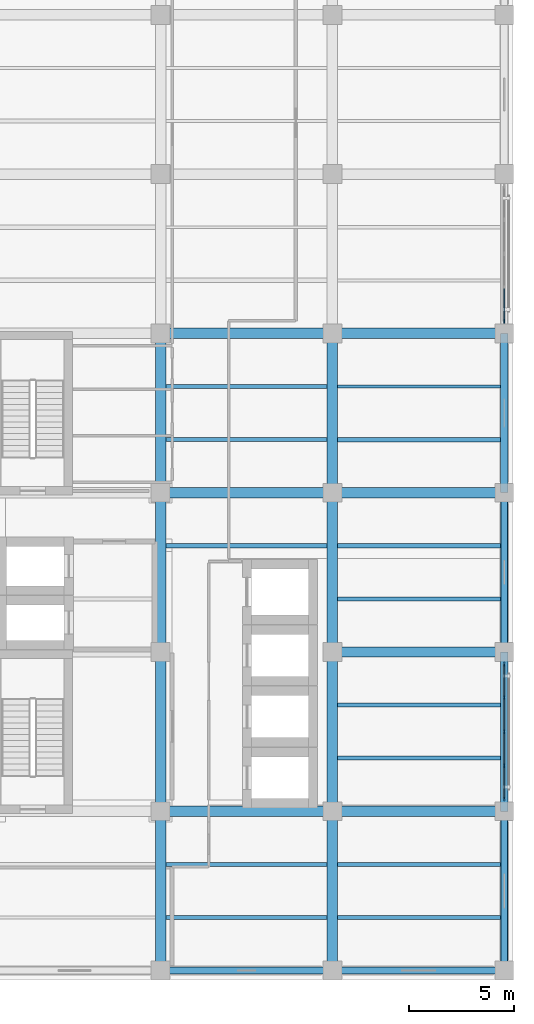
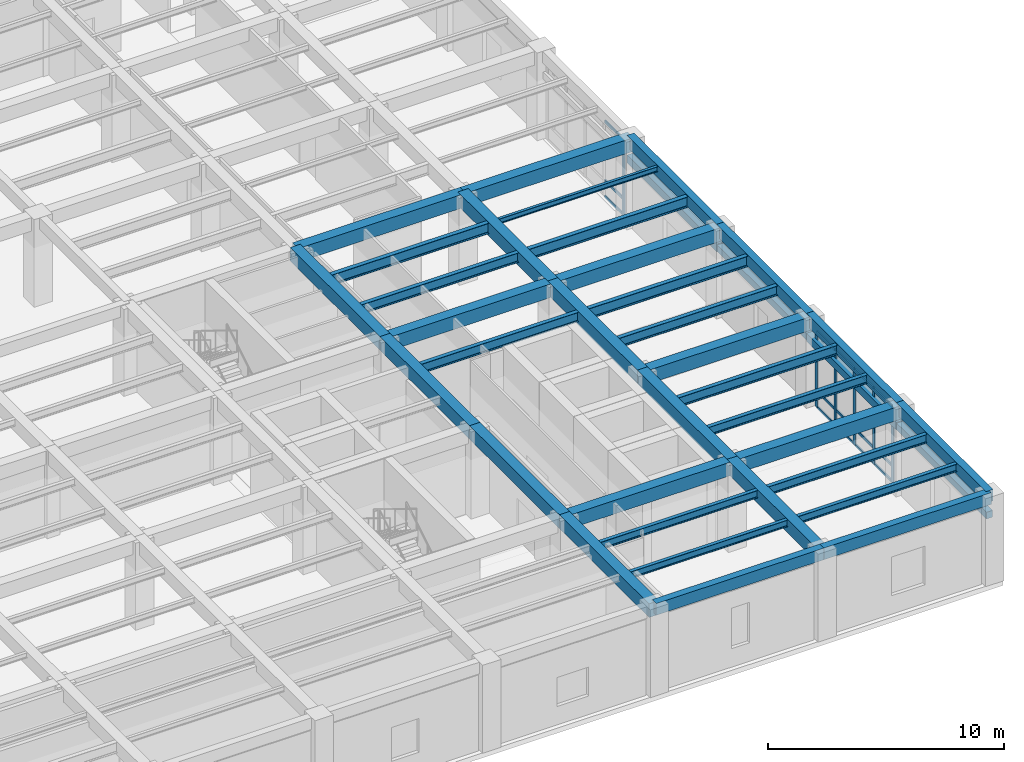
# One storey, part 23 of 49: 38 beams, 21 members, 2 elements without a shape of their own.
"""IFC4 building model written with IfcOpenShell, lengths in metres."""

from ifc_helpers import new_model, si_unit, direction, frame, origin, origin_2d, place, context, subcontext, project, spatial, rectangle, i_section, extrude, material, material_profile, profile_set, type_object, element, aggregate, save


model = new_model("IFC4")

# Units and contexts
model_context = context("Model", 3, precision=1e-05, world=origin(), true_north=direction((0.0, 1.0)))
body_context = subcontext(model_context, "Body", "Model", "MODEL_VIEW")
ifc_project = project(units=[si_unit("LENGTHUNIT", "METRE"), si_unit("AREAUNIT", "SQUARE_METRE"), si_unit("VOLUMEUNIT", "CUBIC_METRE"), si_unit("PLANEANGLEUNIT", "RADIAN"), si_unit("MASSUNIT", "GRAM", prefix="KILO")], contexts=[model_context])

# Site, building, storey
site_placement = place(None, origin())
site = spatial("IfcSite", under=ifc_project, at=site_placement, CompositionType="ELEMENT")
building_placement = place(site_placement, origin())
building = spatial("IfcBuilding", under=site, at=building_placement, Name="Qandaris Square Conservatory and Botanical Centre", CompositionType="ELEMENT")
storey_placement = place(building_placement, frame((0.0, 0.0, 10.199951171875)))
storey = spatial("IfcBuildingStorey", under=building, at=storey_placement, Name="L02", CompositionType="ELEMENT", Elevation=10.199951171875)

# Beams
ifc_material_1 = material(Name="Steel S355", Category="steel")
ifc_material_profile_1 = material_profile(ifc_material_1, i_section(OverallWidth=0.18994140625, OverallDepth=0.449951171875, WebThickness=0.009521484375, FlangeThickness=0.0146484375, FilletRadius=0.02099609375, at=origin_2d()), Name="IPE 450")
ifc_profile_set_1 = profile_set([ifc_material_profile_1], Name="Steel S355")
beam_type_1 = type_object("IfcBeamType", Name="Composite Archive Joist IPE 450", PredefinedType="JOIST", material=ifc_profile_set_1)
for number, where, z_axis, x_axis, name in (
    (1, (155.85009765625, 21.666748046875, 4.275146484375), (1.0, 0.0, 0.0), (0.0, 1.0, 0.0), "L02 Composite Joist 1516"),
    (2, (155.85009765625, 26.7333984375, 4.275146484375), (1.0, 0.0, 0.0), (0.0, 1.0, 0.0), "L02 Composite Joist 1517"),
):
    element("IfcBeam", number, at=place(storey_placement, frame(where, z_axis=z_axis, x_axis=x_axis)), inside=storey, type_object=beam_type_1, Name=name, PredefinedType="JOIST", context=body_context, shape_type="SweptSolid", body=[
        extrude(i_section(OverallWidth=0.18994140625, OverallDepth=0.449951171875, WebThickness=0.009521484375, FlangeThickness=0.0146484375, FilletRadius=0.02099609375, at=origin_2d()), origin(), (0.0, 0.0, 1.0), 7.77490234375),
    ])
ifc_material_profile_2 = material_profile(ifc_material_1, i_section(OverallWidth=0.199951171875, OverallDepth=0.5, WebThickness=0.01025390625, FlangeThickness=0.01611328125, FilletRadius=0.02099609375, at=origin_2d()), Name="IPE 500")
ifc_profile_set_2 = profile_set([ifc_material_profile_2], Name="Steel S355")
beam_type_2 = type_object("IfcBeamType", Name="Composite Gallery Joist IPE 500", PredefinedType="JOIST", material=ifc_profile_set_2)
for number, where, z_axis, x_axis, name in (
    (3, (147.64990234375, 36.86669921875, 4.25), (1.0, 0.0, 0.0), (0.0, 1.0, 0.0), "L02 Composite Joist 1502"),
    (4, (147.64990234375, 41.933349609375, 4.25), (1.0, 0.0, 0.0), (0.0, 1.0, 0.0), "L02 Composite Joist 1503"),
):
    element("IfcBeam", number, at=place(storey_placement, frame(where, z_axis=z_axis, x_axis=x_axis)), inside=storey, type_object=beam_type_2, Name=name, PredefinedType="JOIST", context=body_context, shape_type="SweptSolid", body=[
        extrude(i_section(OverallWidth=0.199951171875, OverallDepth=0.5, WebThickness=0.01025390625, FlangeThickness=0.01611328125, FilletRadius=0.02099609375, at=origin_2d()), origin(), (0.0, 0.0, 1.0), 7.7001953125),
    ])
for number, where, z_axis, x_axis, name in (
    (5, (155.85009765625, 29.2666015625, 4.25), (1.0, 0.0, 0.0), (0.0, 1.0, 0.0), "L02 Composite Joist 1518"),
    (6, (155.85009765625, 34.333251953125, 4.25), (1.0, 0.0, 0.0), (0.0, 1.0, 0.0), "L02 Composite Joist 1519"),
):
    element("IfcBeam", number, at=place(storey_placement, frame(where, z_axis=z_axis, x_axis=x_axis)), inside=storey, type_object=beam_type_2, Name=name, PredefinedType="JOIST", context=body_context, shape_type="SweptSolid", body=[
        extrude(i_section(OverallWidth=0.199951171875, OverallDepth=0.5, WebThickness=0.01025390625, FlangeThickness=0.01611328125, FilletRadius=0.02099609375, at=origin_2d()), origin(), (0.0, 0.0, 1.0), 7.77490234375),
    ])
ifc_material_profile_3 = material_profile(ifc_material_1, i_section(OverallWidth=0.169921875, OverallDepth=0.360107421875, WebThickness=0.008056640625, FlangeThickness=0.0126953125, FilletRadius=0.01806640625, at=origin_2d()), Name="IPE 360")
ifc_profile_set_3 = profile_set([ifc_material_profile_3], Name="Steel S355")
beam_type_3 = type_object("IfcBeamType", Name="Composite Lab Joist IPE 360", PredefinedType="JOIST", material=ifc_profile_set_3)
beam_1_placement = place(storey_placement, frame((147.64990234375, 19.13330078125, 4.320068359375), z_axis=(1.0, 0.0, 0.0), x_axis=(0.0, 1.0, 0.0)))
element("IfcBeam", 7, at=beam_1_placement, inside=storey, type_object=beam_type_3, Name="L02 Composite Joist 1500", PredefinedType="JOIST", context=body_context, shape_type="SweptSolid", body=[
    extrude(i_section(OverallWidth=0.169921875, OverallDepth=0.360107421875, WebThickness=0.008056640625, FlangeThickness=0.0126953125, FilletRadius=0.01806640625, at=origin_2d()), origin(), (0.0, 0.0, 1.0), 7.7001953125),
])
ifc_material_profile_4 = material_profile(ifc_material_1, i_section(OverallWidth=0.179931640625, OverallDepth=0.39990234375, WebThickness=0.008544921875, FlangeThickness=0.013427734375, FilletRadius=0.02099609375, at=origin_2d()), Name="IPE 400")
ifc_profile_set_4 = profile_set([ifc_material_profile_4], Name="Steel S355")
beam_type_4 = type_object("IfcBeamType", Name="Composite Plinth Joist IPE 400", PredefinedType="JOIST", material=ifc_profile_set_4)
beam_2_placement = place(storey_placement, frame((147.64990234375, 21.666748046875, 4.300048828125), z_axis=(1.0, 0.0, 0.0), x_axis=(0.0, 1.0, 0.0)))
element("IfcBeam", 8, at=beam_2_placement, inside=storey, type_object=beam_type_4, Name="L02 Composite Joist 1501", PredefinedType="JOIST", context=body_context, shape_type="SweptSolid", body=[
    extrude(i_section(OverallWidth=0.179931640625, OverallDepth=0.39990234375, WebThickness=0.008544921875, FlangeThickness=0.013427734375, FilletRadius=0.02099609375, at=origin_2d()), origin(), (0.0, 0.0, 1.0), 7.7001953125),
])
beam_3_placement = place(storey_placement, frame((155.85009765625, 19.13330078125, 4.300048828125), z_axis=(1.0, 0.0, 0.0), x_axis=(0.0, 1.0, 0.0)))
element("IfcBeam", 9, at=beam_3_placement, inside=storey, type_object=beam_type_4, Name="L02 Composite Joist 1515", PredefinedType="JOIST", context=body_context, shape_type="SweptSolid", body=[
    extrude(i_section(OverallWidth=0.179931640625, OverallDepth=0.39990234375, WebThickness=0.008544921875, FlangeThickness=0.013427734375, FilletRadius=0.02099609375, at=origin_2d()), origin(), (0.0, 0.0, 1.0), 7.77490234375),
])

# Curtain wall, members
ifc_material_2 = material(Name="Anodised Aluminium", Category="aluminium")
curtain_wall_type = type_object("IfcCurtainWallType", Name="Unitised Curtain Wall CW-4-650x394", PredefinedType="USERDEFINED", material=ifc_material_2)
curtain_wall_1_placement = place(storey_placement, origin())
curtain_wall_1 = element("IfcCurtainWall", 10, at=curtain_wall_1_placement, inside=storey, type_object=curtain_wall_type, Name="Curtain Wall CW-TWR-L02-2-2", ObjectType="GLAZED CURTAIN WALL", PredefinedType="USERDEFINED")
ifc_material_profile_5 = material_profile(ifc_material_2, rectangle(XDim=0.06494140625, YDim=0.179931640625, at=origin_2d()), Name="ALU-MUL 65x180")
ifc_profile_set_5 = profile_set([ifc_material_profile_5], Name="Anodised Aluminium")
member_type_1 = type_object("IfcMemberType", Name="Curtain Wall Mullion 65x180", PredefinedType="MULLION", material=ifc_profile_set_5)
member_1_placement = place(storey_placement, frame((163.800048828125, 24.782470703125, 0.0), z_axis=(0.0, 0.0, 1.0), x_axis=(-1.0, 0.0, 0.0)))
member_1 = element("IfcMember", 11, at=member_1_placement, type_object=member_type_1, Name="CW-4-650x394 mullion 1", PredefinedType="MULLION", context=body_context, shape_type="SweptSolid", body=[
    extrude(rectangle(XDim=0.06494140625, YDim=0.179931640625, at=origin_2d()), origin(), (0.0, 0.0, 1.0), 3.945068359375),
])
member_2_placement = place(storey_placement, frame((163.800048828125, 26.375, 0.0), z_axis=(0.0, 0.0, 1.0), x_axis=(-1.0, 0.0, 0.0)))
member_2 = element("IfcMember", 12, at=member_2_placement, type_object=member_type_1, Name="CW-4-650x394 mullion 2", PredefinedType="MULLION", context=body_context, shape_type="SweptSolid", body=[
    extrude(rectangle(XDim=0.06494140625, YDim=0.179931640625, at=origin_2d()), origin(), (0.0, 0.0, 1.0), 3.945068359375),
])
member_3_placement = place(storey_placement, frame((163.800048828125, 28.0, 0.0), z_axis=(0.0, 0.0, 1.0), x_axis=(-1.0, 0.0, 0.0)))
member_3 = element("IfcMember", 13, at=member_3_placement, type_object=member_type_1, Name="CW-4-650x394 mullion 3", PredefinedType="MULLION", context=body_context, shape_type="SweptSolid", body=[
    extrude(rectangle(XDim=0.06494140625, YDim=0.179931640625, at=origin_2d()), origin(), (0.0, 0.0, 1.0), 3.945068359375),
])
member_4_placement = place(storey_placement, frame((163.800048828125, 29.625, 0.0), z_axis=(0.0, 0.0, 1.0), x_axis=(-1.0, 0.0, 0.0)))
member_4 = element("IfcMember", 14, at=member_4_placement, type_object=member_type_1, Name="CW-4-650x394 mullion 4", PredefinedType="MULLION", context=body_context, shape_type="SweptSolid", body=[
    extrude(rectangle(XDim=0.06494140625, YDim=0.179931640625, at=origin_2d()), origin(), (0.0, 0.0, 1.0), 3.945068359375),
])
member_5_placement = place(storey_placement, frame((163.800048828125, 31.217529296875, 0.0), z_axis=(0.0, 0.0, 1.0), x_axis=(-1.0, 0.0, 0.0)))
member_5 = element("IfcMember", 15, at=member_5_placement, type_object=member_type_1, Name="CW-4-650x394 mullion 5", PredefinedType="MULLION", context=body_context, shape_type="SweptSolid", body=[
    extrude(rectangle(XDim=0.06494140625, YDim=0.179931640625, at=origin_2d()), origin(), (0.0, 0.0, 1.0), 3.945068359375),
])

# Curtain wall, member
curtain_wall_2_placement = place(storey_placement, origin())
curtain_wall_2 = element("IfcCurtainWall", 16, at=curtain_wall_2_placement, inside=storey, type_object=curtain_wall_type, Name="Curtain Wall CW-TWR-L02-2-5", ObjectType="GLAZED CURTAIN WALL", PredefinedType="USERDEFINED")
member_6_placement = place(storey_placement, frame((163.800048828125, 47.58251953125, 0.0), z_axis=(0.0, 0.0, 1.0), x_axis=(-1.0, 0.0, 0.0)))
member_6 = element("IfcMember", 17, at=member_6_placement, type_object=member_type_1, Name="CW-4-650x394 mullion 1", PredefinedType="MULLION", context=body_context, shape_type="SweptSolid", body=[
    extrude(rectangle(XDim=0.06494140625, YDim=0.179931640625, at=origin_2d()), origin(), (0.0, 0.0, 1.0), 3.945068359375),
])

# Member
ifc_material_profile_6 = material_profile(ifc_material_2, rectangle(XDim=0.06494140625, YDim=0.139892578125, at=origin_2d()), Name="ALU-TRN 65x140")
ifc_profile_set_6 = profile_set([ifc_material_profile_6], Name="Anodised Aluminium")
member_type_2 = type_object("IfcMemberType", Name="Curtain Wall Transom 65x140", PredefinedType="USERDEFINED", material=ifc_profile_set_6)
member_7_placement = place(storey_placement, frame((163.800048828125, 24.81494140625, 0.032470703125), z_axis=(0.0, 1.0, 0.0), x_axis=(-1.0, 0.0, 0.0)))
member_7 = element("IfcMember", 18, at=member_7_placement, type_object=member_type_2, Name="CW-4-650x394 transom 1.1", ObjectType="TRANSOM", PredefinedType="USERDEFINED", context=body_context, shape_type="SweptSolid", body=[
    extrude(rectangle(XDim=0.06494140625, YDim=0.139892578125, at=origin_2d()), origin(), (0.0, 0.0, 1.0), 1.527587890625),
])

member_8_placement = place(storey_placement, frame((163.800048828125, 24.81494140625, 0.85009765625), z_axis=(0.0, 1.0, 0.0), x_axis=(-1.0, 0.0, 0.0)))
member_8 = element("IfcMember", 19, at=member_8_placement, type_object=member_type_2, Name="CW-4-650x394 transom 1.2", ObjectType="TRANSOM", PredefinedType="USERDEFINED", context=body_context, shape_type="SweptSolid", body=[
    extrude(rectangle(XDim=0.06494140625, YDim=0.139892578125, at=origin_2d()), origin(), (0.0, 0.0, 1.0), 1.527587890625),
])

member_9_placement = place(storey_placement, frame((163.800048828125, 24.81494140625, 3.91259765625), z_axis=(0.0, 1.0, 0.0), x_axis=(-1.0, 0.0, 0.0)))
member_9 = element("IfcMember", 20, at=member_9_placement, type_object=member_type_2, Name="CW-4-650x394 transom 1.3", ObjectType="TRANSOM", PredefinedType="USERDEFINED", context=body_context, shape_type="SweptSolid", body=[
    extrude(rectangle(XDim=0.06494140625, YDim=0.139892578125, at=origin_2d()), origin(), (0.0, 0.0, 1.0), 1.527587890625),
])

member_10_placement = place(storey_placement, frame((163.800048828125, 26.407470703125, 0.032470703125), z_axis=(0.0, 1.0, 0.0), x_axis=(-1.0, 0.0, 0.0)))
member_10 = element("IfcMember", 21, at=member_10_placement, type_object=member_type_2, Name="CW-4-650x394 transom 2.1", ObjectType="TRANSOM", PredefinedType="USERDEFINED", context=body_context, shape_type="SweptSolid", body=[
    extrude(rectangle(XDim=0.06494140625, YDim=0.139892578125, at=origin_2d()), origin(), (0.0, 0.0, 1.0), 1.56005859375),
])

member_11_placement = place(storey_placement, frame((163.800048828125, 26.407470703125, 0.85009765625), z_axis=(0.0, 1.0, 0.0), x_axis=(-1.0, 0.0, 0.0)))
member_11 = element("IfcMember", 22, at=member_11_placement, type_object=member_type_2, Name="CW-4-650x394 transom 2.2", ObjectType="TRANSOM", PredefinedType="USERDEFINED", context=body_context, shape_type="SweptSolid", body=[
    extrude(rectangle(XDim=0.06494140625, YDim=0.139892578125, at=origin_2d()), origin(), (0.0, 0.0, 1.0), 1.56005859375),
])

member_12_placement = place(storey_placement, frame((163.800048828125, 26.407470703125, 3.91259765625), z_axis=(0.0, 1.0, 0.0), x_axis=(-1.0, 0.0, 0.0)))
member_12 = element("IfcMember", 23, at=member_12_placement, type_object=member_type_2, Name="CW-4-650x394 transom 2.3", ObjectType="TRANSOM", PredefinedType="USERDEFINED", context=body_context, shape_type="SweptSolid", body=[
    extrude(rectangle(XDim=0.06494140625, YDim=0.139892578125, at=origin_2d()), origin(), (0.0, 0.0, 1.0), 1.56005859375),
])

member_13_placement = place(storey_placement, frame((163.800048828125, 28.032470703125, 0.032470703125), z_axis=(0.0, 1.0, 0.0), x_axis=(-1.0, 0.0, 0.0)))
member_13 = element("IfcMember", 24, at=member_13_placement, type_object=member_type_2, Name="CW-4-650x394 transom 3.1", ObjectType="TRANSOM", PredefinedType="USERDEFINED", context=body_context, shape_type="SweptSolid", body=[
    extrude(rectangle(XDim=0.06494140625, YDim=0.139892578125, at=origin_2d()), origin(), (0.0, 0.0, 1.0), 1.56005859375),
])

member_14_placement = place(storey_placement, frame((163.800048828125, 28.032470703125, 0.85009765625), z_axis=(0.0, 1.0, 0.0), x_axis=(-1.0, 0.0, 0.0)))
member_14 = element("IfcMember", 25, at=member_14_placement, type_object=member_type_2, Name="CW-4-650x394 transom 3.2", ObjectType="TRANSOM", PredefinedType="USERDEFINED", context=body_context, shape_type="SweptSolid", body=[
    extrude(rectangle(XDim=0.06494140625, YDim=0.139892578125, at=origin_2d()), origin(), (0.0, 0.0, 1.0), 1.56005859375),
])

member_15_placement = place(storey_placement, frame((163.800048828125, 28.032470703125, 3.91259765625), z_axis=(0.0, 1.0, 0.0), x_axis=(-1.0, 0.0, 0.0)))
member_15 = element("IfcMember", 26, at=member_15_placement, type_object=member_type_2, Name="CW-4-650x394 transom 3.3", ObjectType="TRANSOM", PredefinedType="USERDEFINED", context=body_context, shape_type="SweptSolid", body=[
    extrude(rectangle(XDim=0.06494140625, YDim=0.139892578125, at=origin_2d()), origin(), (0.0, 0.0, 1.0), 1.56005859375),
])

member_16_placement = place(storey_placement, frame((163.800048828125, 29.657470703125, 0.032470703125), z_axis=(0.0, 1.0, 0.0), x_axis=(-1.0, 0.0, 0.0)))
member_16 = element("IfcMember", 27, at=member_16_placement, type_object=member_type_2, Name="CW-4-650x394 transom 4.1", ObjectType="TRANSOM", PredefinedType="USERDEFINED", context=body_context, shape_type="SweptSolid", body=[
    extrude(rectangle(XDim=0.06494140625, YDim=0.139892578125, at=origin_2d()), origin(), (0.0, 0.0, 1.0), 1.527587890625),
])

member_17_placement = place(storey_placement, frame((163.800048828125, 29.657470703125, 0.85009765625), z_axis=(0.0, 1.0, 0.0), x_axis=(-1.0, 0.0, 0.0)))
member_17 = element("IfcMember", 28, at=member_17_placement, type_object=member_type_2, Name="CW-4-650x394 transom 4.2", ObjectType="TRANSOM", PredefinedType="USERDEFINED", context=body_context, shape_type="SweptSolid", body=[
    extrude(rectangle(XDim=0.06494140625, YDim=0.139892578125, at=origin_2d()), origin(), (0.0, 0.0, 1.0), 1.527587890625),
])

member_18_placement = place(storey_placement, frame((163.800048828125, 29.657470703125, 3.91259765625), z_axis=(0.0, 1.0, 0.0), x_axis=(-1.0, 0.0, 0.0)))
member_18 = element("IfcMember", 29, at=member_18_placement, type_object=member_type_2, Name="CW-4-650x394 transom 4.3", ObjectType="TRANSOM", PredefinedType="USERDEFINED", context=body_context, shape_type="SweptSolid", body=[
    extrude(rectangle(XDim=0.06494140625, YDim=0.139892578125, at=origin_2d()), origin(), (0.0, 0.0, 1.0), 1.527587890625),
])

aggregate(curtain_wall_1, [member_1, member_2, member_3, member_4, member_5, member_7, member_8, member_9, member_10, member_11, member_12, member_13, member_14, member_15, member_16, member_17, member_18])

member_19_placement = place(storey_placement, frame((163.800048828125, 47.614990234375, 0.032470703125), z_axis=(0.0, 1.0, 0.0), x_axis=(-1.0, 0.0, 0.0)))
member_19 = element("IfcMember", 30, at=member_19_placement, type_object=member_type_2, Name="CW-4-650x394 transom 1.1", ObjectType="TRANSOM", PredefinedType="USERDEFINED", context=body_context, shape_type="SweptSolid", body=[
    extrude(rectangle(XDim=0.06494140625, YDim=0.139892578125, at=origin_2d()), origin(), (0.0, 0.0, 1.0), 1.527587890625),
])

member_20_placement = place(storey_placement, frame((163.800048828125, 47.614990234375, 0.85009765625), z_axis=(0.0, 1.0, 0.0), x_axis=(-1.0, 0.0, 0.0)))
member_20 = element("IfcMember", 31, at=member_20_placement, type_object=member_type_2, Name="CW-4-650x394 transom 1.2", ObjectType="TRANSOM", PredefinedType="USERDEFINED", context=body_context, shape_type="SweptSolid", body=[
    extrude(rectangle(XDim=0.06494140625, YDim=0.139892578125, at=origin_2d()), origin(), (0.0, 0.0, 1.0), 1.527587890625),
])

member_21_placement = place(storey_placement, frame((163.800048828125, 47.614990234375, 3.91259765625), z_axis=(0.0, 1.0, 0.0), x_axis=(-1.0, 0.0, 0.0)))
member_21 = element("IfcMember", 32, at=member_21_placement, type_object=member_type_2, Name="CW-4-650x394 transom 1.3", ObjectType="TRANSOM", PredefinedType="USERDEFINED", context=body_context, shape_type="SweptSolid", body=[
    extrude(rectangle(XDim=0.06494140625, YDim=0.139892578125, at=origin_2d()), origin(), (0.0, 0.0, 1.0), 1.527587890625),
])

aggregate(curtain_wall_2, [member_6, member_19, member_20, member_21])

# Beams
ifc_material_profile_7 = material_profile(ifc_material_1, i_section(OverallWidth=0.2099609375, OverallDepth=0.550048828125, WebThickness=0.010986328125, FlangeThickness=0.01708984375, FilletRadius=0.02392578125, at=origin_2d()), Name="IPE 550")
ifc_profile_set_7 = profile_set([ifc_material_profile_7], Name="Steel S355")
beam_type_5 = type_object("IfcBeamType", Name="Long-Span Foyer Joist IPE 550", PredefinedType="JOIST", material=ifc_profile_set_7)
beam_4_placement = place(storey_placement, frame((147.64990234375, 44.466796875, 4.22509765625), z_axis=(1.0, 0.0, 0.0), x_axis=(0.0, 1.0, 0.0)))
element("IfcBeam", 33, at=beam_4_placement, inside=storey, type_object=beam_type_5, Name="L02 Composite Joist 1504", PredefinedType="JOIST", context=body_context, shape_type="SweptSolid", body=[
    extrude(i_section(OverallWidth=0.2099609375, OverallDepth=0.550048828125, WebThickness=0.010986328125, FlangeThickness=0.01708984375, FilletRadius=0.02392578125, at=origin_2d()), origin(), (0.0, 0.0, 1.0), 7.7001953125),
])
for number, where, z_axis, x_axis, name in (
    (34, (155.85009765625, 36.86669921875, 4.22509765625), (1.0, 0.0, 0.0), (0.0, 1.0, 0.0), "L02 Composite Joist 1520"),
    (35, (155.85009765625, 41.933349609375, 4.22509765625), (1.0, 0.0, 0.0), (0.0, 1.0, 0.0), "L02 Composite Joist 1521"),
):
    element("IfcBeam", number, at=place(storey_placement, frame(where, z_axis=z_axis, x_axis=x_axis)), inside=storey, type_object=beam_type_5, Name=name, PredefinedType="JOIST", context=body_context, shape_type="SweptSolid", body=[
        extrude(i_section(OverallWidth=0.2099609375, OverallDepth=0.550048828125, WebThickness=0.010986328125, FlangeThickness=0.01708984375, FilletRadius=0.02392578125, at=origin_2d()), origin(), (0.0, 0.0, 1.0), 7.77490234375),
    ])
ifc_material_3 = material(Name="Precast concrete C40/50", Category="concrete")
ifc_material_profile_8 = material_profile(ifc_material_3, rectangle(XDim=0.300048828125, YDim=0.35009765625, at=origin_2d()), Name="RC-LN 300x350")
ifc_profile_set_8 = profile_set([ifc_material_profile_8], Name="Precast concrete C40/50")
beam_type_6 = type_object("IfcBeamType", Name="Precast Opening Lintel 300x350", PredefinedType="LINTEL", material=ifc_profile_set_8)
for number, where, z_axis, x_axis, name in (
    (36, (163.800048828125, 16.60009765625, 3.295166015625), (0.0, 1.0, 0.0), (-1.0, 0.0, 0.0), "Precast Lintel 026"),
    (37, (163.800048828125, 31.800048828125, 3.295166015625), (0.0, 1.0, 0.0), (-1.0, 0.0, 0.0), "Precast Lintel 028"),
):
    element("IfcBeam", number, at=place(storey_placement, frame(where, z_axis=z_axis, x_axis=x_axis)), inside=storey, type_object=beam_type_6, Name=name, PredefinedType="LINTEL", context=body_context, shape_type="SweptSolid", body=[
        extrude(rectangle(XDim=0.300048828125, YDim=0.35009765625, at=origin_2d()), origin(), (0.0, 0.0, 1.0), 7.599853515625),
    ])
ifc_material_profile_9 = material_profile(ifc_material_3, rectangle(XDim=0.35009765625, YDim=0.39990234375, at=origin_2d()), Name="RC-LN 350x400")
ifc_profile_set_9 = profile_set([ifc_material_profile_9], Name="Precast concrete C40/50")
beam_type_7 = type_object("IfcBeamType", Name="Precast Opening Lintel 350x400", PredefinedType="LINTEL", material=ifc_profile_set_9)
for number, where, z_axis, x_axis, name in (
    (38, (163.800048828125, 24.199951171875, 3.320068359375), (0.0, 1.0, 0.0), (-1.0, 0.0, 0.0), "Precast Lintel 027"),
    (39, (163.800048828125, 39.39990234375, 3.320068359375), (0.0, 1.0, 0.0), (-1.0, 0.0, 0.0), "Precast Lintel 029"),
):
    element("IfcBeam", number, at=place(storey_placement, frame(where, z_axis=z_axis, x_axis=x_axis)), inside=storey, type_object=beam_type_7, Name=name, PredefinedType="LINTEL", context=body_context, shape_type="SweptSolid", body=[
        extrude(rectangle(XDim=0.35009765625, YDim=0.39990234375, at=origin_2d()), origin(), (0.0, 0.0, 1.0), 7.60009765625),
    ])
ifc_material_4 = material(Name="Concrete C50/60", Category="concrete")
ifc_material_profile_10 = material_profile(ifc_material_4, rectangle(XDim=0.35009765625, YDim=0.60009765625, at=origin_2d()), Name="RC-SP 350x600")
ifc_profile_set_10 = profile_set([ifc_material_profile_10], Name="Concrete C50/60")
beam_type_8 = type_object("IfcBeamType", Name="RC Edge Spandrel Beam 350x600", PredefinedType="SPANDREL", material=ifc_profile_set_10)
beam_5_placement = place(storey_placement, frame((147.39990234375, 16.60009765625, 4.2451171875), z_axis=(1.0, 0.0, 0.0), x_axis=(0.0, 1.0, 0.0)))
element("IfcBeam", 40, at=beam_5_placement, inside=storey, type_object=beam_type_8, Name="L02 Frame Beam 1300", PredefinedType="SPANDREL", context=body_context, shape_type="SweptSolid", body=[
    extrude(rectangle(XDim=0.35009765625, YDim=0.60009765625, at=origin_2d()), origin(), (0.0, 0.0, 1.0), 8.2001953125),
])
beam_6_placement = place(storey_placement, frame((155.60009765625, 16.60009765625, 4.2451171875), z_axis=(1.0, 0.0, 0.0), x_axis=(0.0, 1.0, 0.0)))
element("IfcBeam", 41, at=beam_6_placement, inside=storey, type_object=beam_type_8, Name="L02 Frame Beam 1301", PredefinedType="SPANDREL", context=body_context, shape_type="SweptSolid", body=[
    extrude(rectangle(XDim=0.35009765625, YDim=0.60009765625, at=origin_2d()), origin(), (0.0, 0.0, 1.0), 8.199951171875),
])
beam_7_placement = place(storey_placement, frame((163.800048828125, 16.60009765625, 4.2451171875), z_axis=(0.0, 1.0, 0.0), x_axis=(-1.0, 0.0, 0.0)))
element("IfcBeam", 42, at=beam_7_placement, inside=storey, type_object=beam_type_8, Name="L02 Frame Beam 1450", PredefinedType="SPANDREL", context=body_context, shape_type="SweptSolid", body=[
    extrude(rectangle(XDim=0.35009765625, YDim=0.60009765625, at=origin_2d()), origin(), (0.0, 0.0, 1.0), 7.599853515625),
])
beam_8_placement = place(storey_placement, frame((163.800048828125, 24.199951171875, 4.2451171875), z_axis=(0.0, 1.0, 0.0), x_axis=(-1.0, 0.0, 0.0)))
element("IfcBeam", 43, at=beam_8_placement, inside=storey, type_object=beam_type_8, Name="L02 Frame Beam 1451", PredefinedType="SPANDREL", context=body_context, shape_type="SweptSolid", body=[
    extrude(rectangle(XDim=0.35009765625, YDim=0.60009765625, at=origin_2d()), origin(), (0.0, 0.0, 1.0), 7.60009765625),
])
beam_9_placement = place(storey_placement, frame((163.800048828125, 31.800048828125, 4.2451171875), z_axis=(0.0, 1.0, 0.0), x_axis=(-1.0, 0.0, 0.0)))
element("IfcBeam", 44, at=beam_9_placement, inside=storey, type_object=beam_type_8, Name="L02 Frame Beam 1452", PredefinedType="SPANDREL", context=body_context, shape_type="SweptSolid", body=[
    extrude(rectangle(XDim=0.35009765625, YDim=0.60009765625, at=origin_2d()), origin(), (0.0, 0.0, 1.0), 7.599853515625),
])
beam_10_placement = place(storey_placement, frame((163.800048828125, 39.39990234375, 4.2451171875), z_axis=(0.0, 1.0, 0.0), x_axis=(-1.0, 0.0, 0.0)))
element("IfcBeam", 45, at=beam_10_placement, inside=storey, type_object=beam_type_8, Name="L02 Frame Beam 1453", PredefinedType="SPANDREL", context=body_context, shape_type="SweptSolid", body=[
    extrude(rectangle(XDim=0.35009765625, YDim=0.60009765625, at=origin_2d()), origin(), (0.0, 0.0, 1.0), 7.60009765625),
])
ifc_material_profile_11 = material_profile(ifc_material_4, rectangle(XDim=0.5, YDim=0.699951171875, at=origin_2d()), Name="RC-BM 500x700")
ifc_profile_set_11 = profile_set([ifc_material_profile_11], Name="Concrete C50/60")
beam_type_9 = type_object("IfcBeamType", Name="RC Floor Girder 500x700", PredefinedType="BEAM", material=ifc_profile_set_11)
beam_11_placement = place(storey_placement, frame((147.39990234375, 24.199951171875, 4.16015625), z_axis=(1.0, 0.0, 0.0), x_axis=(0.0, 1.0, 0.0)))
element("IfcBeam", 46, at=beam_11_placement, inside=storey, type_object=beam_type_9, Name="L02 Frame Beam 1308", PredefinedType="BEAM", context=body_context, shape_type="SweptSolid", body=[
    extrude(rectangle(XDim=0.5, YDim=0.699951171875, at=origin_2d()), origin(), (0.0, 0.0, 1.0), 8.2001953125),
])
for number, where, z_axis, x_axis, name in (
    (47, (155.60009765625, 24.199951171875, 4.16015625), (1.0, 0.0, 0.0), (0.0, 1.0, 0.0), "L02 Frame Beam 1309"),
    (48, (155.60009765625, 31.800048828125, 4.16015625), (1.0, 0.0, 0.0), (0.0, 1.0, 0.0), "L02 Frame Beam 1316"),
):
    element("IfcBeam", number, at=place(storey_placement, frame(where, z_axis=z_axis, x_axis=x_axis)), inside=storey, type_object=beam_type_9, Name=name, PredefinedType="BEAM", context=body_context, shape_type="SweptSolid", body=[
        extrude(rectangle(XDim=0.5, YDim=0.699951171875, at=origin_2d()), origin(), (0.0, 0.0, 1.0), 8.199951171875),
    ])
beam_12_placement = place(storey_placement, frame((147.39990234375, 39.39990234375, 4.16015625), z_axis=(1.0, 0.0, 0.0), x_axis=(0.0, 1.0, 0.0)))
element("IfcBeam", 49, at=beam_12_placement, inside=storey, type_object=beam_type_9, Name="L02 Frame Beam 1328", PredefinedType="BEAM", context=body_context, shape_type="SweptSolid", body=[
    extrude(rectangle(XDim=0.5, YDim=0.699951171875, at=origin_2d()), origin(), (0.0, 0.0, 1.0), 8.2001953125),
])
beam_13_placement = place(storey_placement, frame((155.60009765625, 39.39990234375, 4.16015625), z_axis=(1.0, 0.0, 0.0), x_axis=(0.0, 1.0, 0.0)))
element("IfcBeam", 50, at=beam_13_placement, inside=storey, type_object=beam_type_9, Name="L02 Frame Beam 1329", PredefinedType="BEAM", context=body_context, shape_type="SweptSolid", body=[
    extrude(rectangle(XDim=0.5, YDim=0.699951171875, at=origin_2d()), origin(), (0.0, 0.0, 1.0), 8.199951171875),
])
beam_14_placement = place(storey_placement, frame((147.39990234375, 47.0, 4.16015625), z_axis=(1.0, 0.0, 0.0), x_axis=(0.0, 1.0, 0.0)))
element("IfcBeam", 51, at=beam_14_placement, inside=storey, type_object=beam_type_9, Name="L02 Frame Beam 1334", PredefinedType="BEAM", context=body_context, shape_type="SweptSolid", body=[
    extrude(rectangle(XDim=0.5, YDim=0.699951171875, at=origin_2d()), origin(), (0.0, 0.0, 1.0), 8.2001953125),
])
beam_15_placement = place(storey_placement, frame((155.60009765625, 47.0, 4.16015625), z_axis=(1.0, 0.0, 0.0), x_axis=(0.0, 1.0, 0.0)))
element("IfcBeam", 52, at=beam_15_placement, inside=storey, type_object=beam_type_9, Name="L02 Frame Beam 1335", PredefinedType="BEAM", context=body_context, shape_type="SweptSolid", body=[
    extrude(rectangle(XDim=0.5, YDim=0.699951171875, at=origin_2d()), origin(), (0.0, 0.0, 1.0), 8.199951171875),
])
beam_16_placement = place(storey_placement, frame((147.39990234375, 16.60009765625, 4.16015625), z_axis=(0.0, 1.0, 0.0), x_axis=(-1.0, 0.0, 0.0)))
element("IfcBeam", 53, at=beam_16_placement, inside=storey, type_object=beam_type_9, Name="L02 Frame Beam 1428", PredefinedType="BEAM", context=body_context, shape_type="SweptSolid", body=[
    extrude(rectangle(XDim=0.5, YDim=0.699951171875, at=origin_2d()), origin(), (0.0, 0.0, 1.0), 7.599853515625),
])
beam_17_placement = place(storey_placement, frame((147.39990234375, 24.199951171875, 4.16015625), z_axis=(0.0, 1.0, 0.0), x_axis=(-1.0, 0.0, 0.0)))
element("IfcBeam", 54, at=beam_17_placement, inside=storey, type_object=beam_type_9, Name="L02 Frame Beam 1429", PredefinedType="BEAM", context=body_context, shape_type="SweptSolid", body=[
    extrude(rectangle(XDim=0.5, YDim=0.699951171875, at=origin_2d()), origin(), (0.0, 0.0, 1.0), 7.60009765625),
])
beam_18_placement = place(storey_placement, frame((147.39990234375, 31.800048828125, 4.16015625), z_axis=(0.0, 1.0, 0.0), x_axis=(-1.0, 0.0, 0.0)))
element("IfcBeam", 55, at=beam_18_placement, inside=storey, type_object=beam_type_9, Name="L02 Frame Beam 1430", PredefinedType="BEAM", context=body_context, shape_type="SweptSolid", body=[
    extrude(rectangle(XDim=0.5, YDim=0.699951171875, at=origin_2d()), origin(), (0.0, 0.0, 1.0), 7.599853515625),
])
beam_19_placement = place(storey_placement, frame((147.39990234375, 39.39990234375, 4.16015625), z_axis=(0.0, 1.0, 0.0), x_axis=(-1.0, 0.0, 0.0)))
element("IfcBeam", 56, at=beam_19_placement, inside=storey, type_object=beam_type_9, Name="L02 Frame Beam 1431", PredefinedType="BEAM", context=body_context, shape_type="SweptSolid", body=[
    extrude(rectangle(XDim=0.5, YDim=0.699951171875, at=origin_2d()), origin(), (0.0, 0.0, 1.0), 7.60009765625),
])
beam_20_placement = place(storey_placement, frame((155.60009765625, 16.60009765625, 4.16015625), z_axis=(0.0, 1.0, 0.0), x_axis=(-1.0, 0.0, 0.0)))
element("IfcBeam", 57, at=beam_20_placement, inside=storey, type_object=beam_type_9, Name="L02 Frame Beam 1439", PredefinedType="BEAM", context=body_context, shape_type="SweptSolid", body=[
    extrude(rectangle(XDim=0.5, YDim=0.699951171875, at=origin_2d()), origin(), (0.0, 0.0, 1.0), 7.599853515625),
])
beam_21_placement = place(storey_placement, frame((155.60009765625, 24.199951171875, 4.16015625), z_axis=(0.0, 1.0, 0.0), x_axis=(-1.0, 0.0, 0.0)))
element("IfcBeam", 58, at=beam_21_placement, inside=storey, type_object=beam_type_9, Name="L02 Frame Beam 1440", PredefinedType="BEAM", context=body_context, shape_type="SweptSolid", body=[
    extrude(rectangle(XDim=0.5, YDim=0.699951171875, at=origin_2d()), origin(), (0.0, 0.0, 1.0), 7.60009765625),
])
beam_22_placement = place(storey_placement, frame((155.60009765625, 31.800048828125, 4.16015625), z_axis=(0.0, 1.0, 0.0), x_axis=(-1.0, 0.0, 0.0)))
element("IfcBeam", 59, at=beam_22_placement, inside=storey, type_object=beam_type_9, Name="L02 Frame Beam 1441", PredefinedType="BEAM", context=body_context, shape_type="SweptSolid", body=[
    extrude(rectangle(XDim=0.5, YDim=0.699951171875, at=origin_2d()), origin(), (0.0, 0.0, 1.0), 7.599853515625),
])
beam_23_placement = place(storey_placement, frame((155.60009765625, 39.39990234375, 4.16015625), z_axis=(0.0, 1.0, 0.0), x_axis=(-1.0, 0.0, 0.0)))
element("IfcBeam", 60, at=beam_23_placement, inside=storey, type_object=beam_type_9, Name="L02 Frame Beam 1442", PredefinedType="BEAM", context=body_context, shape_type="SweptSolid", body=[
    extrude(rectangle(XDim=0.5, YDim=0.699951171875, at=origin_2d()), origin(), (0.0, 0.0, 1.0), 7.60009765625),
])
ifc_material_profile_12 = material_profile(ifc_material_1, i_section(OverallWidth=0.135009765625, OverallDepth=0.27001953125, WebThickness=0.006591796875, FlangeThickness=0.01025390625, FilletRadius=0.014892578125, at=origin_2d()), Name="IPE 270")
ifc_profile_set_12 = profile_set([ifc_material_profile_12], Name="Steel S355")
beam_type_10 = type_object("IfcBeamType", Name="Steel Floor Joist IPE 270", PredefinedType="JOIST", material=ifc_profile_set_12)
beam_24_placement = place(storey_placement, frame((155.85009765625, 44.466796875, 4.364990234375), z_axis=(1.0, 0.0, 0.0), x_axis=(0.0, 1.0, 0.0)))
element("IfcBeam", 61, at=beam_24_placement, inside=storey, type_object=beam_type_10, Name="L02 Composite Joist 1522", PredefinedType="JOIST", context=body_context, shape_type="SweptSolid", body=[
    extrude(i_section(OverallWidth=0.135009765625, OverallDepth=0.27001953125, WebThickness=0.006591796875, FlangeThickness=0.01025390625, FilletRadius=0.014892578125, at=origin_2d()), origin(), (0.0, 0.0, 1.0), 7.77490234375),
])

save(model, "model.ifc")
